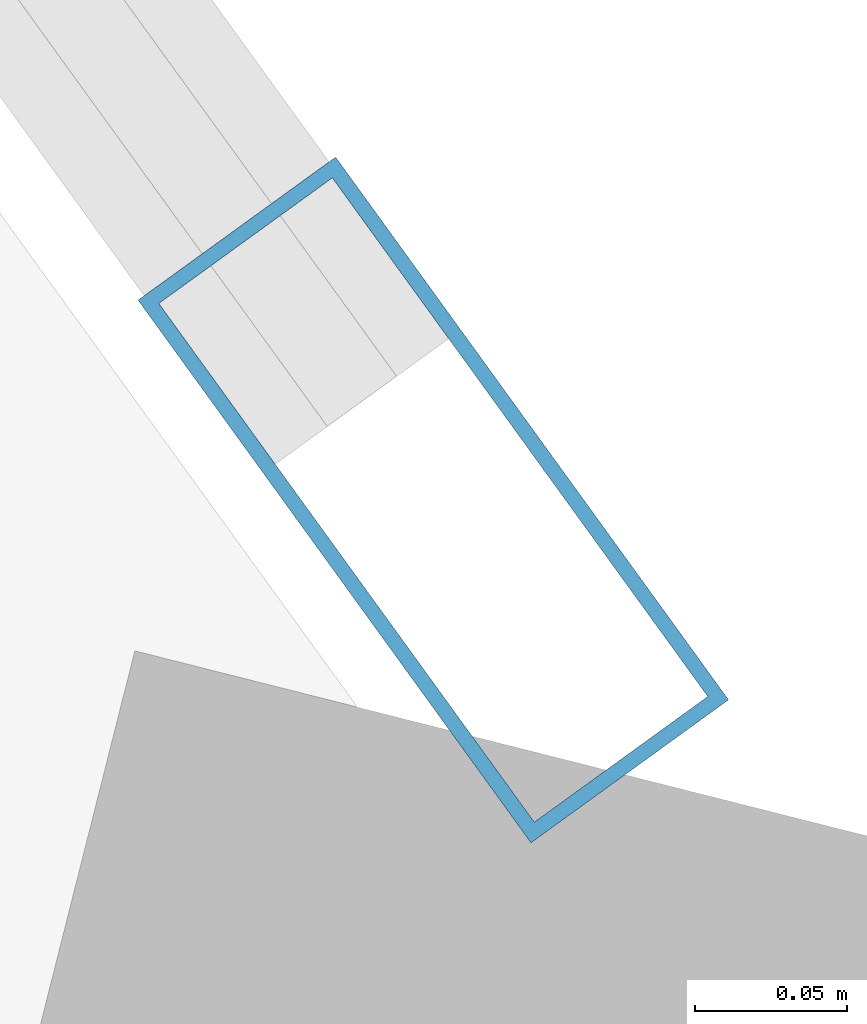
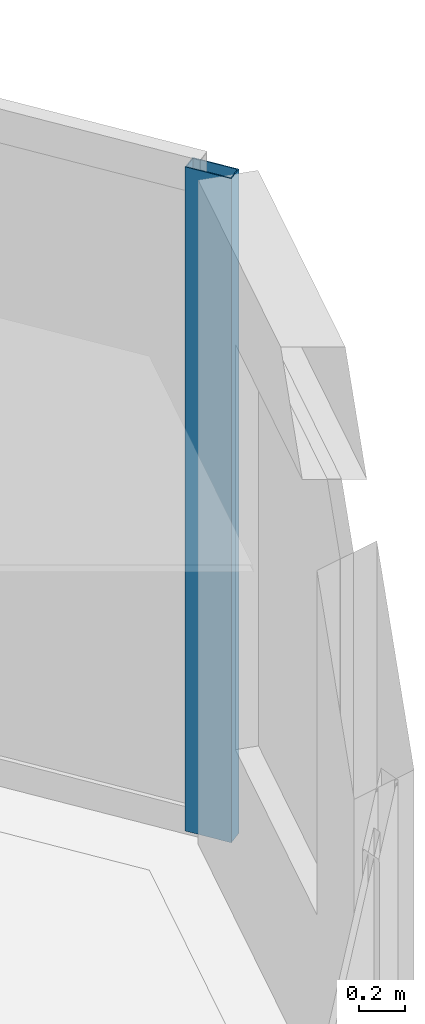
# One storey, part 14 of 24: 1 member, 1 element without a shape of its own.
"""IFC4 building model written with IfcOpenShell, lengths in metres."""

from ifc_helpers import new_model, si_unit, direction, frame, origin, origin_2d, place, context, subcontext, project, spatial, hollow_rectangle, extrude, source, transform, mapped, material, layer, layer_set, material_profile, profile_set, type_object, type_shapes, element, aggregate, save


model = new_model("IFC4")

# Units and contexts
model_context = context("Model", 3, precision=1e-05, world=origin(), true_north=direction((0.0, 1.0)))
body_context = subcontext(model_context, "Body", "Model", "MODEL_VIEW")
ifc_project = project(units=[si_unit("LENGTHUNIT", "METRE"), si_unit("AREAUNIT", "SQUARE_METRE"), si_unit("VOLUMEUNIT", "CUBIC_METRE"), si_unit("PLANEANGLEUNIT", "RADIAN"), si_unit("MASSUNIT", "GRAM", prefix="KILO")], contexts=[model_context])

# Site, building, storey
site_placement = place(None, origin())
site = spatial("IfcSite", under=ifc_project, at=site_placement, CompositionType="ELEMENT")
building_placement = place(site_placement, origin())
building = spatial("IfcBuilding", under=site, at=building_placement, Name="Talar Marvaseh", CompositionType="ELEMENT")
storey_placement = place(building_placement, frame((0.0, 0.0, 73.39990234375)))
storey = spatial("IfcBuildingStorey", under=building, at=storey_placement, Name="L18", CompositionType="ELEMENT", Elevation=73.39990234375)

# Curtain wall, member
ifc_material = material(Name="Architectural Aluminium", Category="aluminium")
ifc_layer = layer(ifc_material, 0.219970703125)
ifc_layer_set = layer_set([ifc_layer], Name="Architectural Aluminium")
curtain_wall_type = type_object("IfcCurtainWallType", Name="Unitised Low-E Museum Curtain Wall Z1", PredefinedType="NOTDEFINED", material=ifc_layer_set)
curtain_wall_placement = place(storey_placement, origin())
curtain_wall = element("IfcCurtainWall", 1, at=curtain_wall_placement, inside=storey, type_object=curtain_wall_type, Name="L18 Unitised Low-E Museum Curtain Wall Z1", PredefinedType="NOTDEFINED")
ifc_material_profile = material_profile(ifc_material, hollow_rectangle(XDim=0.080078125, YDim=0.219970703125, WallThickness=0.0048828125, at=origin_2d()), Name="RHS220x80x5")
ifc_profile_set = profile_set([ifc_material_profile], Name="Architectural Aluminium")
member_type = type_object("IfcMemberType", Name="Unitised Curtain Wall Heavy Mullion RHS220x80x5", PredefinedType="MULLION", material=ifc_profile_set)
shared_shape = source(origin(), body_context, "Body", "SweptSolid", [
    extrude(hollow_rectangle(XDim=0.080078125, YDim=0.219970703125, WallThickness=0.0048828125, at=origin_2d()), origin(), (0.0, 0.0, 1.0), 3.52001953125),
])
type_shapes(member_type, [shared_shape])
member_placement = place(storey_placement, frame((52.3359375, 28.39111328125, 0.0), z_axis=(0.0, 0.0, 1.0), x_axis=(0.810006646124, 0.586420696458, 0.0)))
member = element("IfcMember", 2, at=member_placement, type_object=member_type, Name="CW-Z1 mullion 3", PredefinedType="MULLION", context=body_context, shape_type="MappedRepresentation", body=[
    mapped(shared_shape, transform((0.0, 0.0, 0.0), x_axis=(1.0, 0.0, 0.0), y_axis=(0.0, 1.0, 0.0), z_axis=(0.0, 0.0, 1.0), scale=1.0)),
])
aggregate(curtain_wall, [member])

save(model, "model.ifc")
